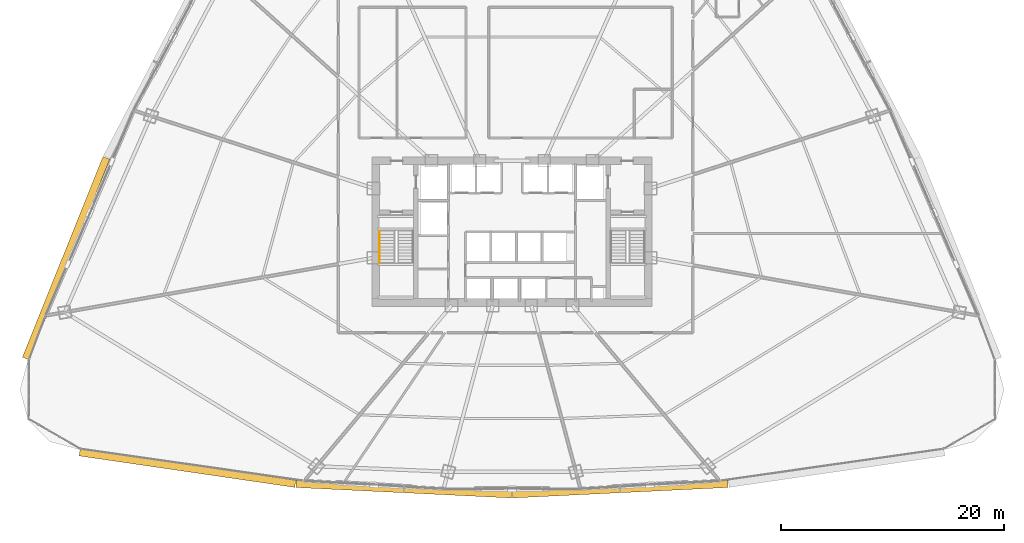
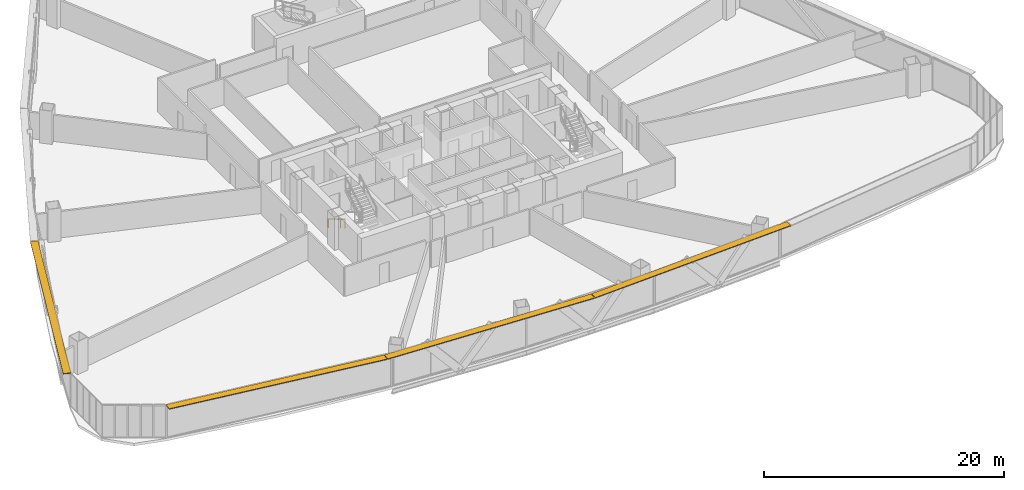
# One storey, part 39 of 42: 4 shading devices, 1 railing.
"""IFC4 building model written with IfcOpenShell, lengths in metres."""

from ifc_helpers import new_model, si_unit, direction, frame, origin, origin_2d, place, context, subcontext, project, spatial, rectangle, extrude, source, transform, mapped, material, layer, layer_set, type_object, element, save


model = new_model("IFC4")

# Units and contexts
model_context = context("Model", 3, precision=1e-05, world=origin(), true_north=direction((0.0, 1.0)))
body_context = subcontext(model_context, "Body", "Model", "MODEL_VIEW")
ifc_project = project(units=[si_unit("LENGTHUNIT", "METRE"), si_unit("AREAUNIT", "SQUARE_METRE"), si_unit("VOLUMEUNIT", "CUBIC_METRE"), si_unit("PLANEANGLEUNIT", "RADIAN"), si_unit("MASSUNIT", "GRAM", prefix="KILO"), si_unit("THERMODYNAMICTEMPERATUREUNIT", "KELVIN"), si_unit("POWERUNIT", "WATT")], contexts=[model_context])

# Site, building, storey
site_placement = place(None, origin())
site = spatial("IfcSite", under=ifc_project, at=site_placement, CompositionType="ELEMENT")
building_placement = place(site_placement, origin())
building = spatial("IfcBuilding", under=site, at=building_placement, Name="Yunzhuo Pagoda Commons", CompositionType="ELEMENT")
storey_placement = place(building_placement, frame((0.0, 0.0, 41.2900390625)))
storey = spatial("IfcBuildingStorey", under=building, at=storey_placement, Name="L10", CompositionType="ELEMENT", Elevation=41.2900390625)

# Railing
ifc_material = material(Name="Anodized aluminium 6063-T6", Category="aluminium")
railing_type = type_object("IfcRailingType", Name="HR-ST1 Stair Handrail 900", PredefinedType="HANDRAIL", material=ifc_material)
railing_placement = place(storey_placement, frame((36.14990234375, 33.89990234375, 0.1650390625)))
element("IfcRailing", 1, at=railing_placement, inside=storey, type_object=railing_type, Name="L10 ST1 stair handrail 1", PredefinedType="HANDRAIL", context=body_context, shape_type="SweptSolid", body=[
    extrude(rectangle(XDim=0.048095703125, YDim=0.048095703125, at=origin_2d()), frame((0.0, 0.0, 0.8759765625), z_axis=(0.0, -0.861536114422, 0.507696290658), x_axis=(1.0, 0.0, 0.0)), (0.0, 0.0, 1.0), 3.249755859375),
    extrude(rectangle(XDim=0.0419921875, YDim=0.0419921875, at=origin_2d()), origin(), (0.0, 0.0, 1.0), 0.851806640625),
    extrude(rectangle(XDim=0.0419921875, YDim=0.0419921875, at=origin_2d()), frame((0.0, -2.067626953125, 1.218505859375)), (0.0, 0.0, 1.0), 0.851806640625),
    extrude(rectangle(XDim=0.0419921875, YDim=0.0419921875, at=origin_2d()), frame((0.0, -2.7998046875, 1.64990234375)), (0.0, 0.0, 1.0), 0.851806640625),
])

# Shading devices
ifc_layer = layer(ifc_material, 0.080078125)
ifc_layer_set = layer_set([ifc_layer], Name="Anodized aluminium 6063-T6")
shading_device_type = type_object("IfcShadingDeviceType", Name="SH-SUN1 Pagoda Horizontal Sunshade Eave 650", PredefinedType="USERDEFINED", material=ifc_layer_set)
shared_shape_1 = source(origin(), body_context, "Body", "SweptSolid", [
    extrude(rectangle(XDim=19.519287109375, YDim=0.64990234375, at=origin_2d()), origin(), (0.0, 0.0, 1.0), 0.080078125),
])
shading_device_1_placement = place(storey_placement, frame((18.93408203125, 12.681884765625, 3.2900390625), z_axis=(0.0, 0.0, 1.0), x_axis=(0.989510666697, -0.144459823108, 0.0)))
element("IfcShadingDevice", 2, at=shading_device_1_placement, inside=storey, type_object=shading_device_type, Name="L10 horizontal pagoda sunshade eave F1.1", ObjectType="SUNSHADE", PredefinedType="USERDEFINED", context=body_context, shape_type="MappedRepresentation", body=[
    mapped(shared_shape_1, transform((0.0, 0.0, 0.0), scale=1.0)),
])
shared_shape_2 = source(origin(), body_context, "Body", "SweptSolid", [
    extrude(rectangle(XDim=19.3369140625, YDim=0.64990234375, at=origin_2d()), origin(), (0.0, 0.0, 1.0), 0.080078125),
])
for number, where, z_axis, x_axis, name in (
    (3, (38.311279296875, 10.796142578125, 3.2900390625), (0.0, 0.0, 1.0), (0.998818043775, -0.04860571396, 0.0), "L10 horizontal pagoda sunshade eave F1.2"),
    (4, (57.688720703125, 10.796142578125, 3.2900390625), (0.0, 0.0, 1.0), (0.998818043775, 0.04860571396, 0.0), "L10 horizontal pagoda sunshade eave F1.3"),
):
    element("IfcShadingDevice", number, at=place(storey_placement, frame(where, z_axis=z_axis, x_axis=x_axis)), inside=storey, type_object=shading_device_type, Name=name, ObjectType="SUNSHADE", PredefinedType="USERDEFINED", context=body_context, shape_type="MappedRepresentation", body=[
        mapped(shared_shape_2, transform((0.0, 0.0, 0.0), scale=1.0)),
    ])
shared_shape_3 = source(origin(), body_context, "Body", "SweptSolid", [
    extrude(rectangle(XDim=19.3623046875, YDim=0.64990234375, at=origin_2d()), origin(), (0.0, 0.0, 1.0), 0.080078125),
])
shading_device_2_placement = place(storey_placement, frame((8.064208984375, 31.47509765625, 3.2900390625), z_axis=(0.0, 0.0, 1.0), x_axis=(-0.372987782576, -0.927836253899, 0.0)))
element("IfcShadingDevice", 5, at=shading_device_2_placement, inside=storey, type_object=shading_device_type, Name="L10 horizontal pagoda sunshade eave F3.4", ObjectType="SUNSHADE", PredefinedType="USERDEFINED", context=body_context, shape_type="MappedRepresentation", body=[
    mapped(shared_shape_3, transform((0.0, 0.0, 0.0), scale=1.0)),
])

save(model, "model.ifc")
